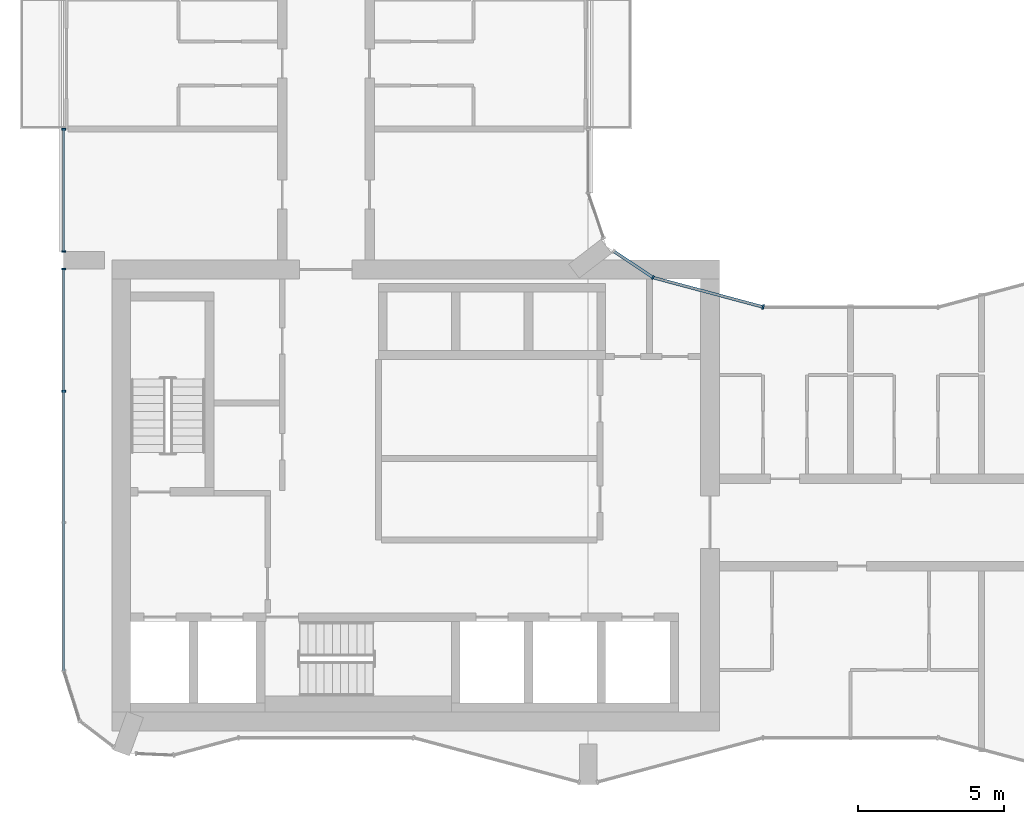
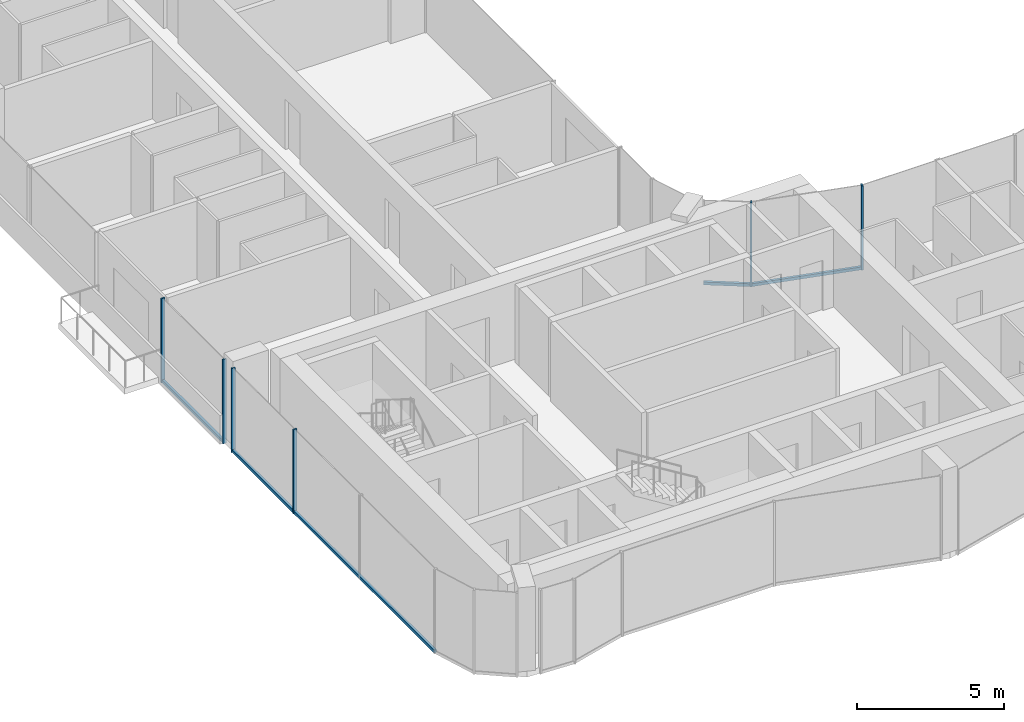
# One storey, part 3 of 22: 10 members, 4 elements without a shape of their own.
"""IFC4 building model written with IfcOpenShell, lengths in metres."""

from ifc_helpers import new_model, si_unit, direction, frame, origin, origin_2d, place, context, subcontext, project, spatial, rectangle, extrude, material, layer, layer_set, material_profile, profile_set, type_object, element, aggregate, save


model = new_model("IFC4")

# Units and contexts
model_context = context("Model", 3, precision=1e-05, world=origin(), true_north=direction((0.0, 1.0)))
body_context = subcontext(model_context, "Body", "Model", "MODEL_VIEW")
ifc_project = project(units=[si_unit("LENGTHUNIT", "METRE"), si_unit("AREAUNIT", "SQUARE_METRE"), si_unit("VOLUMEUNIT", "CUBIC_METRE"), si_unit("PLANEANGLEUNIT", "RADIAN"), si_unit("MASSUNIT", "GRAM", prefix="KILO")], contexts=[model_context])

# Site, building, storey
site_placement = place(None, origin())
site = spatial("IfcSite", under=ifc_project, at=site_placement, CompositionType="ELEMENT")
building_placement = place(site_placement, origin())
building = spatial("IfcBuilding", under=site, at=building_placement, Name="Plateau Cross Towers", CompositionType="ELEMENT")
storey_placement = place(building_placement, frame((0.0, 0.0, 99.300048828125)))
storey = spatial("IfcBuildingStorey", under=building, at=storey_placement, Name="L25", CompositionType="ELEMENT", Elevation=99.300048828125)

# Curtain wall, member
ifc_material_1 = material(Name="Dark low-iron glass", Category="glass")
ifc_layer_1 = layer(ifc_material_1, 0.239990234375)
ifc_layer_set_1 = layer_set([ifc_layer_1], Name="Dark low-iron glass")
curtain_wall_type_1 = type_object("IfcCurtainWallType", Name="Curtain wall flush unitised CW-B", PredefinedType="NOTDEFINED", material=ifc_layer_set_1)
curtain_wall_1_placement = place(storey_placement, origin())
curtain_wall_1 = element("IfcCurtainWall", 1, at=curtain_wall_1_placement, inside=storey, type_object=curtain_wall_type_1, Name="ENV/A/L25/A202_174", PredefinedType="NOTDEFINED")
ifc_material_2 = material(Name="Black anodised aluminium", Category="aluminium")
ifc_material_profile_1 = material_profile(ifc_material_2, rectangle(XDim=0.06005859375, YDim=0.139892578125, at=origin_2d()), Name="MULLION 60x140")
ifc_profile_set_1 = profile_set([ifc_material_profile_1], Name="Black anodised aluminium")
member_type_1 = type_object("IfcMemberType", Name="Mullion 60x140 flush unitised", PredefinedType="MULLION", material=ifc_profile_set_1)
member_1_placement = place(storey_placement, frame((20.223876953125, 17.404296875, -0.25), z_axis=(0.0, 0.0, 1.0), x_axis=(-0.831521253329, 0.555492938984, 0.0)))
member_1 = element("IfcMember", 2, at=member_1_placement, type_object=member_type_1, Name="CW-B mullion 1", PredefinedType="MULLION", context=body_context, shape_type="SweptSolid", body=[
    extrude(rectangle(XDim=0.06005859375, YDim=0.139892578125, at=origin_2d()), origin(), (0.0, 0.0, 1.0), 3.5),
])

# Curtain wall, members
curtain_wall_2_placement = place(storey_placement, origin())
curtain_wall_2 = element("IfcCurtainWall", 3, at=curtain_wall_2_placement, inside=storey, type_object=curtain_wall_type_1, Name="ENV/A/L25/A0_225", PredefinedType="NOTDEFINED")
member_2_placement = place(storey_placement, frame((0.0, 22.489990234375, -0.25), z_axis=(0.0, 0.0, 1.0), x_axis=(0.0, -1.0, 0.0)))
member_2 = element("IfcMember", 4, at=member_2_placement, type_object=member_type_1, Name="CW-B mullion 1", PredefinedType="MULLION", context=body_context, shape_type="SweptSolid", body=[
    extrude(rectangle(XDim=0.06005859375, YDim=0.139892578125, at=origin_2d()), origin(), (0.0, 0.0, 1.0), 3.5),
])
member_3_placement = place(storey_placement, frame((0.0, 18.300048828125, -0.25), z_axis=(0.0, 0.0, 1.0), x_axis=(0.0, -1.0, 0.0)))
member_3 = element("IfcMember", 5, at=member_3_placement, type_object=member_type_1, Name="CW-B mullion 2", PredefinedType="MULLION", context=body_context, shape_type="SweptSolid", body=[
    extrude(rectangle(XDim=0.06005859375, YDim=0.139892578125, at=origin_2d()), origin(), (0.0, 0.0, 1.0), 3.5),
])

curtain_wall_3_placement = place(storey_placement, origin())
curtain_wall_3 = element("IfcCurtainWall", 6, at=curtain_wall_3_placement, inside=storey, type_object=curtain_wall_type_1, Name="ENV/A/L25/A0_177", PredefinedType="NOTDEFINED")
member_4_placement = place(storey_placement, frame((0.0, 17.699951171875, -0.25), z_axis=(0.0, 0.0, 1.0), x_axis=(0.0, -1.0, 0.0)))
member_4 = element("IfcMember", 7, at=member_4_placement, type_object=member_type_1, Name="CW-B mullion 1", PredefinedType="MULLION", context=body_context, shape_type="SweptSolid", body=[
    extrude(rectangle(XDim=0.06005859375, YDim=0.139892578125, at=origin_2d()), origin(), (0.0, 0.0, 1.0), 3.5),
])
member_5_placement = place(storey_placement, frame((0.0, 13.5, -0.25), z_axis=(0.0, 0.0, 1.0), x_axis=(0.0, -1.0, 0.0)))
member_5 = element("IfcMember", 8, at=member_5_placement, type_object=member_type_1, Name="CW-B mullion 2", PredefinedType="MULLION", context=body_context, shape_type="SweptSolid", body=[
    extrude(rectangle(XDim=0.06005859375, YDim=0.139892578125, at=origin_2d()), origin(), (0.0, 0.0, 1.0), 3.5),
])

# Curtain wall, member
ifc_layer_2 = layer(ifc_material_1, 0.260009765625)
ifc_layer_set_2 = layer_set([ifc_layer_2], Name="Dark low-iron glass")
curtain_wall_type_2 = type_object("IfcCurtainWallType", Name="Curtain wall fluted unitised CW-A", PredefinedType="NOTDEFINED", material=ifc_layer_set_2)
curtain_wall_4_placement = place(storey_placement, origin())
curtain_wall_4 = element("IfcCurtainWall", 9, at=curtain_wall_4_placement, inside=storey, type_object=curtain_wall_type_2, Name="ENV/A/L25/A240_164", PredefinedType="NOTDEFINED")
ifc_material_profile_2 = material_profile(ifc_material_2, rectangle(XDim=0.06005859375, YDim=0.159912109375, at=origin_2d()), Name="MULLION 60x160")
ifc_profile_set_2 = profile_set([ifc_material_profile_2], Name="Black anodised aluminium")
member_type_2 = type_object("IfcMemberType", Name="Mullion 60x160 fluted unitised", PredefinedType="MULLION", material=ifc_profile_set_2)
member_6_placement = place(storey_placement, frame((24.0, 16.39306640625, -0.25), z_axis=(0.0, 0.0, 1.0), x_axis=(-0.965957995816, 0.258698956933, 0.0)))
member_6 = element("IfcMember", 10, at=member_6_placement, type_object=member_type_2, Name="CW-A mullion 1", PredefinedType="MULLION", context=body_context, shape_type="SweptSolid", body=[
    extrude(rectangle(XDim=0.06005859375, YDim=0.159912109375, at=origin_2d()), origin(), (0.0, 0.0, 1.0), 3.5),
])

# Member
ifc_material_profile_3 = material_profile(ifc_material_2, rectangle(XDim=0.10009765625, YDim=0.1201171875, at=origin_2d()), Name="TRANSOM 100x120")
ifc_profile_set_3 = profile_set([ifc_material_profile_3], Name="Black anodised aluminium")
member_type_3 = type_object("IfcMemberType", Name="Transom 100x120 flush unitised", PredefinedType="USERDEFINED", material=ifc_profile_set_3)
member_7_placement = place(storey_placement, frame((20.223876953125, 17.404296875, -0.18994140625), z_axis=(-0.831496402487, 0.555530136582, 0.0), x_axis=(-0.555530136582, -0.831496402487, 0.0)))
member_7 = element("IfcMember", 11, at=member_7_placement, type_object=member_type_3, Name="CW-B transom", ObjectType="TRANSOM", PredefinedType="USERDEFINED", context=body_context, shape_type="SweptSolid", body=[
    extrude(rectangle(XDim=0.10009765625, YDim=0.1201171875, at=origin_2d()), origin(), (0.0, 0.0, 1.0), 1.628662109375),
])

aggregate(curtain_wall_1, [member_1, member_7])

member_8_placement = place(storey_placement, frame((0.0, 22.489990234375, -0.18994140625), z_axis=(0.0, -1.0, 0.0), x_axis=(1.0, 0.0, 0.0)))
member_8 = element("IfcMember", 12, at=member_8_placement, type_object=member_type_3, Name="CW-B transom", ObjectType="TRANSOM", PredefinedType="USERDEFINED", context=body_context, shape_type="SweptSolid", body=[
    extrude(rectangle(XDim=0.10009765625, YDim=0.1201171875, at=origin_2d()), origin(), (0.0, 0.0, 1.0), 4.18994140625),
])

aggregate(curtain_wall_2, [member_2, member_3, member_8])

member_9_placement = place(storey_placement, frame((0.0, 17.699951171875, -0.18994140625), z_axis=(0.0, -1.0, 0.0), x_axis=(1.0, 0.0, 0.0)))
member_9 = element("IfcMember", 13, at=member_9_placement, type_object=member_type_3, Name="CW-B transom", ObjectType="TRANSOM", PredefinedType="USERDEFINED", context=body_context, shape_type="SweptSolid", body=[
    extrude(rectangle(XDim=0.10009765625, YDim=0.1201171875, at=origin_2d()), origin(), (0.0, 0.0, 1.0), 13.790771484375),
])

aggregate(curtain_wall_3, [member_4, member_5, member_9])

ifc_material_profile_4 = material_profile(ifc_material_2, rectangle(XDim=0.10009765625, YDim=0.1201171875, at=origin_2d()), Name="TRANSOM 100x120")
ifc_profile_set_4 = profile_set([ifc_material_profile_4], Name="Black anodised aluminium")
member_type_4 = type_object("IfcMemberType", Name="Transom 100x120 fluted unitised", PredefinedType="USERDEFINED", material=ifc_profile_set_4)
member_10_placement = place(storey_placement, frame((24.0, 16.39306640625, -0.18994140625), z_axis=(-0.965962822393, 0.25868093427, 0.0), x_axis=(-0.25868093427, -0.965962822393, 0.0)))
member_10 = element("IfcMember", 14, at=member_10_placement, type_object=member_type_4, Name="CW-A transom", ObjectType="TRANSOM", PredefinedType="USERDEFINED", context=body_context, shape_type="SweptSolid", body=[
    extrude(rectangle(XDim=0.10009765625, YDim=0.1201171875, at=origin_2d()), origin(), (0.0, 0.0, 1.0), 3.9091796875),
])

aggregate(curtain_wall_4, [member_6, member_10])

save(model, "model.ifc")
